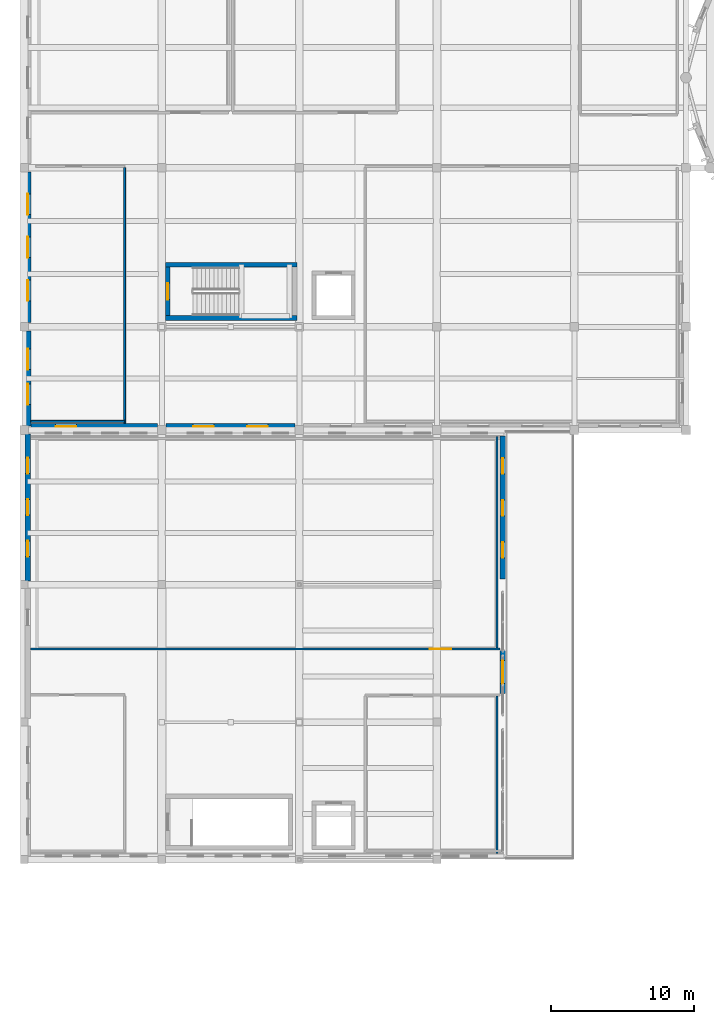
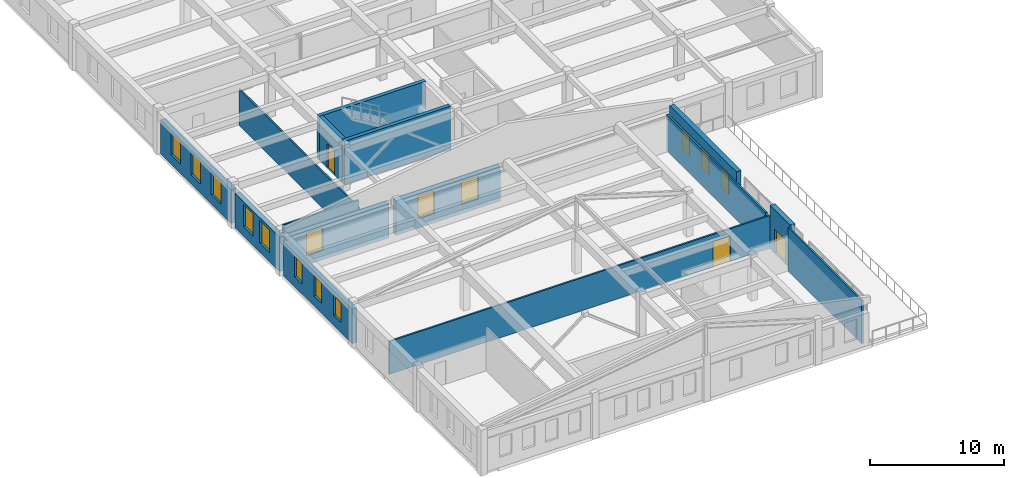
# One storey, part 11 of 31: 15 walls, 14 windows, 3 doors, 17 openings.
"""IFC4 building model written with IfcOpenShell, lengths in metres."""

from ifc_helpers import new_model, si_unit, direction, frame, frame_2d, origin, place, context, subcontext, project, spatial, rectangle, extrude, material, layer, layer_set, type_object, element, fill, save


model = new_model("IFC4")

# Units and contexts
model_context = context("Model", 3, precision=1e-05, world=origin(), true_north=direction((0.0, 1.0)))
body_context = subcontext(model_context, "Body", "Model", "MODEL_VIEW")
ifc_project = project(units=[si_unit("LENGTHUNIT", "METRE"), si_unit("AREAUNIT", "SQUARE_METRE"), si_unit("VOLUMEUNIT", "CUBIC_METRE"), si_unit("PLANEANGLEUNIT", "RADIAN"), si_unit("MASSUNIT", "GRAM", prefix="KILO")], contexts=[model_context])

# Site, building, storey
site_placement = place(None, origin())
site = spatial("IfcSite", under=ifc_project, at=site_placement, CompositionType="ELEMENT")
building_placement = place(site_placement, origin())
building = spatial("IfcBuilding", under=site, at=building_placement, Name="Tarnavel Promenade Courthouse", CompositionType="ELEMENT")
storey_placement = place(building_placement, frame((0.0, 0.0, 18.60009765625)))
storey = spatial("IfcBuildingStorey", under=building, at=storey_placement, Name="L05", CompositionType="ELEMENT", Elevation=18.60009765625)

# Wall, opening, door
ifc_material_1 = material(Name="Acoustic Insulated Gypsum Stud Partition", Category="gypsum")
ifc_layer_1 = layer(ifc_material_1, 0.14990234375)
ifc_layer_set_1 = layer_set([ifc_layer_1], Name="Acoustic Insulated Gypsum Stud Partition")
wall_type_1 = type_object("IfcWallType", Name="Acoustic Insulated Gypsum Stud Partition WL-LIB-150 (150 mm)", PredefinedType="PARTITIONING", material=ifc_layer_set_1)
wall_1_placement = place(storey_placement, frame((33.200927734375, 51.89990234375, 0.0), z_axis=(0.0, 0.0, 1.0), x_axis=(-1.0, 0.0, 0.0)))
wall_1 = element("IfcWall", 1, at=wall_1_placement, inside=storey, type_object=wall_type_1, Name="L05 Law Library Reading Room Terrace Pavilion Partition 0707", PredefinedType="PARTITIONING", context=body_context, shape_type="SweptSolid", body=[
    extrude(rectangle(XDim=32.761962890625, YDim=0.14990234375, at=frame_2d((16.380859375, 0.0))), origin(), (0.0, 0.0, 1.0), 2.989990234375),
])
opening_1_placement = place(wall_1_placement, frame((3.40625, 0.0, 0.0)))
opening_1 = element("IfcOpeningElement", 2, at=opening_1_placement, cuts=wall_1, Name="Opening ID-05", PredefinedType="OPENING", context=body_context, shape_type="SweptSolid", body=[
    extrude(rectangle(XDim=1.5, YDim=2.35009765625, at=frame_2d((0.75, 1.175048828125))), frame((0.0, 0.0849609375, 0.0), z_axis=(0.0, -1.0, 0.0), x_axis=(1.0, 0.0, 0.0)), (0.0, 0.0, 1.0), 0.169921875),
])
ifc_material_2 = material(Name="Glazed Oak Law Library Double Door")
door_type_1 = type_object("IfcDoorType", Name="Glazed Oak Law Library Double Door (DR-LIB-1500x2350)", OperationType="NOTDEFINED", PredefinedType="DOOR", material=ifc_material_2)
door_1_placement = place(opening_1_placement, origin())
door_1 = element("IfcDoor", 3, at=door_1_placement, inside=storey, type_object=door_type_1, Name="L05 Law Library Reading Room Terrace Pavilion Door 0202", OperationType="DOUBLE_DOOR_SINGLE_SWING", OverallHeight=2.35009765625, OverallWidth=1.5, PredefinedType="DOOR", context=body_context, shape_type="SweptSolid", body=[
    extrude(rectangle(XDim=1.5, YDim=2.35009765625, at=frame_2d((0.75, 1.175048828125))), frame((0.0, 0.02490234375, 0.0), z_axis=(0.0, -1.0, 0.0), x_axis=(1.0, 0.0, 0.0)), (0.0, 0.0, 1.0), 0.050048828125),
])
fill(opening_1, door_1)

# Walls
wall_2_placement = place(storey_placement, frame((33.0, 66.760986328125, 0.0), z_axis=(0.0, 0.0, 1.0), x_axis=(0.0, -1.0, 0.0)))
element("IfcWall", 4, at=wall_2_placement, inside=storey, type_object=wall_type_1, Name="L05 Law Library Reading Room Terrace Pavilion Partition 0708", PredefinedType="PARTITIONING", context=body_context, shape_type="SweptSolid", body=[
    extrude(rectangle(XDim=14.77587890625, YDim=0.14990234375, at=frame_2d((7.387939453125, 0.0))), origin(), (0.0, 0.0, 1.0), 3.260009765625),
])
wall_3_placement = place(storey_placement, frame((33.0, 48.614990234375, 0.0), z_axis=(0.0, 0.0, 1.0), x_axis=(0.0, -1.0, 0.0)))
element("IfcWall", 5, at=wall_3_placement, inside=storey, type_object=wall_type_1, Name="L05 Senior Judicial Research Library Partition 0715", PredefinedType="PARTITIONING", context=body_context, shape_type="SweptSolid", body=[
    extrude(rectangle(XDim=10.966064453125, YDim=0.14990234375, at=frame_2d((5.48291015625, 0.0))), origin(), (0.0, 0.0, 1.0), 3.94482421875),
])
ifc_material_3 = material(Name="Concrete C40/50", Category="concrete")
ifc_layer_2 = layer(ifc_material_3, 0.320068359375)
ifc_layer_set_2 = layer_set([ifc_layer_2], Name="Concrete C40/50")
wall_type_2 = type_object("IfcWallType", Name="Concrete C40/50 WL-SHR-320 (320 mm)", PredefinedType="SHEAR", material=ifc_layer_set_2)
for number, where, z_axis, x_axis, name in (
    (6, (9.860107421875, 78.739990234375, 0.0), (0.0, 0.0, 1.0), (1.0, 0.0, 0.0), "L05 ST-04 Shear Core North Wall"),
    (7, (19.0400390625, 75.02001953125, 0.0), (0.0, 0.0, 1.0), (-1.0, 0.0, 0.0), "L05 ST-04 Shear Core South Wall"),
):
    element("IfcWall", number, at=place(storey_placement, frame(where, z_axis=z_axis, x_axis=x_axis)), inside=storey, type_object=wall_type_2, Name=name, PredefinedType="SHEAR", context=body_context, shape_type="SweptSolid", body=[
        extrude(rectangle(XDim=9.179931640625, YDim=0.320068359375, at=frame_2d((4.58984375, 0.0))), origin(), (0.0, 0.0, 1.0), 3.9599609375),
    ])

# Wall, opening, door
wall_4_placement = place(storey_placement, frame((10.02001953125, 75.179931640625, 0.0), z_axis=(0.0, 0.0, 1.0), x_axis=(0.0, 1.0, 0.0)))
wall_4 = element("IfcWall", 8, at=wall_4_placement, inside=storey, type_object=wall_type_2, Name="L05 ST-04 Shear Core West Landing Wall", PredefinedType="SHEAR", context=body_context, shape_type="SweptSolid", body=[
    extrude(rectangle(XDim=3.400146484375, YDim=0.320068359375, at=frame_2d((1.7001953125, 0.0))), origin(), (0.0, 0.0, 1.0), 3.9599609375),
])
opening_2_placement = place(wall_4_placement, frame((1.125, 0.0, 0.0)))
opening_2 = element("IfcOpeningElement", 9, at=opening_2_placement, cuts=wall_4, Name="Opening FD-01", PredefinedType="OPENING", context=body_context, shape_type="SweptSolid", body=[
    extrude(rectangle(XDim=1.14990234375, YDim=2.199951171875, at=frame_2d((0.574951171875, 1.10009765625))), frame((0.0, 0.169921875, 0.0), z_axis=(0.0, -1.0, 0.0), x_axis=(1.0, 0.0, 0.0)), (0.0, 0.0, 1.0), 0.340087890625),
])
ifc_material_4 = material(Name="Steel Fire-Rated Stair Core Door", Category="steel")
door_type_2 = type_object("IfcDoorType", Name="Steel Fire-Rated Stair Core Door (DR-ST-1150x2200)", OperationType="NOTDEFINED", PredefinedType="DOOR", material=ifc_material_4)
door_2_placement = place(opening_2_placement, origin())
door_2 = element("IfcDoor", 10, at=door_2_placement, inside=storey, type_object=door_type_2, Name="L05 ST-04 Protected Exit Stair Door", OperationType="SINGLE_SWING_LEFT", OverallHeight=2.199951171875, OverallWidth=1.14990234375, PredefinedType="DOOR", context=body_context, shape_type="SweptSolid", body=[
    extrude(rectangle(XDim=1.14990234375, YDim=2.199951171875, at=frame_2d((0.574951171875, 1.10009765625))), frame((0.0, 0.02490234375, 0.0), z_axis=(0.0, -1.0, 0.0), x_axis=(1.0, 0.0, 0.0)), (0.0, 0.0, 1.0), 0.050048828125),
])
fill(opening_2, door_2)

# Wall, openings, windows
ifc_material_5 = material(Name="Cream Brick Insulated Cavity Facade Assembly", Category="masonry")
ifc_layer_3 = layer(ifc_material_5, 0.409912109375)
ifc_layer_set_3 = layer_set([ifc_layer_3], Name="Cream Brick Insulated Cavity Facade Assembly")
wall_type_3 = type_object("IfcWallType", Name="Cream Brick Insulated Cavity Facade Assembly WL-EXT-410 (410 mm)", PredefinedType="STANDARD", material=ifc_layer_set_3)
wall_5_placement = place(storey_placement, frame((0.239990234375, 56.6669921875, 0.0), z_axis=(0.0, 0.0, 1.0), x_axis=(0.0, 1.0, 0.0)))
wall_5 = element("IfcWall", 11, at=wall_5_placement, inside=storey, type_object=wall_type_3, Name="L05 Law Library West Brick Facade 0354", PredefinedType="STANDARD", context=body_context, shape_type="SweptSolid", body=[
    extrude(rectangle(XDim=10.240966796875, YDim=0.409912109375, at=frame_2d((5.12060546875, 0.0))), origin(), (0.0, 0.0, 1.0), 3.139892578125),
])
opening_3_placement = place(wall_5_placement, frame((1.68310546875, 0.0, 0.89990234375)))
opening_3 = element("IfcOpeningElement", 12, at=opening_3_placement, cuts=wall_5, Name="Opening W-07", PredefinedType="OPENING", context=body_context, shape_type="SweptSolid", body=[
    extrude(rectangle(XDim=1.10009765625, YDim=1.85009765625, at=frame_2d((0.550048828125, 0.925048828125))), frame((0.0, 0.21484375, 0.0), z_axis=(0.0, -1.0, 0.0), x_axis=(1.0, 0.0, 0.0)), (0.0, 0.0, 1.0), 0.429931640625),
])
opening_4_placement = place(wall_5_placement, frame((4.5830078125, 0.0, 0.89990234375)))
opening_4 = element("IfcOpeningElement", 13, at=opening_4_placement, cuts=wall_5, Name="Opening W-07", PredefinedType="OPENING", context=body_context, shape_type="SweptSolid", body=[
    extrude(rectangle(XDim=1.10009765625, YDim=1.85009765625, at=frame_2d((0.550048828125, 0.925048828125))), frame((0.0, 0.21484375, 0.0), z_axis=(0.0, -1.0, 0.0), x_axis=(1.0, 0.0, 0.0)), (0.0, 0.0, 1.0), 0.429931640625),
])
opening_5_placement = place(wall_5_placement, frame((7.48291015625, 0.0, 0.89990234375)))
opening_5 = element("IfcOpeningElement", 14, at=opening_5_placement, cuts=wall_5, Name="Opening W-07", PredefinedType="OPENING", context=body_context, shape_type="SweptSolid", body=[
    extrude(rectangle(XDim=1.10009765625, YDim=1.85009765625, at=frame_2d((0.550048828125, 0.925048828125))), frame((0.0, 0.21484375, 0.0), z_axis=(0.0, -1.0, 0.0), x_axis=(1.0, 0.0, 0.0)), (0.0, 0.0, 1.0), 0.429931640625),
])
ifc_material_6 = material(Name="Triple Low-E Glazed Bronze-Clad Window Assembly")
window_type_1 = type_object("IfcWindowType", Name="Triple-Glazed Bronze-Clad Timber-Aluminium WIN-LIB-1100x1850", PartitioningType="SINGLE_PANEL", PredefinedType="WINDOW", material=ifc_material_6)
window_1_placement = place(opening_3_placement, origin())
window_1 = element("IfcWindow", 15, at=window_1_placement, inside=storey, type_object=window_type_1, Name="L05 Exterior Window 0425", OverallHeight=1.85009765625, OverallWidth=1.10009765625, PartitioningType="SINGLE_PANEL", PredefinedType="WINDOW", context=body_context, shape_type="SweptSolid", body=[
    extrude(rectangle(XDim=1.10009765625, YDim=1.85009765625, at=frame_2d((0.550048828125, 0.925048828125))), frame((0.0, 0.030029296875, 0.0), z_axis=(0.0, -1.0, 0.0), x_axis=(1.0, 0.0, 0.0)), (0.0, 0.0, 1.0), 0.06005859375),
])
fill(opening_3, window_1)
window_2_placement = place(opening_4_placement, origin())
window_2 = element("IfcWindow", 16, at=window_2_placement, inside=storey, type_object=window_type_1, Name="L05 Exterior Window 0426", OverallHeight=1.85009765625, OverallWidth=1.10009765625, PartitioningType="SINGLE_PANEL", PredefinedType="WINDOW", context=body_context, shape_type="SweptSolid", body=[
    extrude(rectangle(XDim=1.10009765625, YDim=1.85009765625, at=frame_2d((0.550048828125, 0.925048828125))), frame((0.0, 0.030029296875, 0.0), z_axis=(0.0, -1.0, 0.0), x_axis=(1.0, 0.0, 0.0)), (0.0, 0.0, 1.0), 0.06005859375),
])
fill(opening_4, window_2)
window_3_placement = place(opening_5_placement, origin())
window_3 = element("IfcWindow", 17, at=window_3_placement, inside=storey, type_object=window_type_1, Name="L05 Exterior Window 0427", OverallHeight=1.85009765625, OverallWidth=1.10009765625, PartitioningType="SINGLE_PANEL", PredefinedType="WINDOW", context=body_context, shape_type="SweptSolid", body=[
    extrude(rectangle(XDim=1.10009765625, YDim=1.85009765625, at=frame_2d((0.550048828125, 0.925048828125))), frame((0.0, 0.030029296875, 0.0), z_axis=(0.0, -1.0, 0.0), x_axis=(1.0, 0.0, 0.0)), (0.0, 0.0, 1.0), 0.06005859375),
])
fill(opening_5, window_3)

wall_6_placement = place(storey_placement, frame((33.39990234375, 56.800048828125, 0.0), z_axis=(0.0, 0.0, 1.0), x_axis=(0.0, 1.0, 0.0)))
wall_6 = element("IfcWall", 18, at=wall_6_placement, inside=storey, type_object=wall_type_3, Name="L05 L05 Reading Terrace North-East Wall 0355", PredefinedType="STANDARD", context=body_context, shape_type="SweptSolid", body=[
    extrude(rectangle(XDim=9.962890625, YDim=0.409912109375, at=frame_2d((4.9814453125, 0.0))), origin(), (0.0, 0.0, 1.0), 3.9599609375),
])
opening_6_placement = place(wall_6_placement, frame((1.466796875, 0.0, 0.89990234375)))
opening_6 = element("IfcOpeningElement", 19, at=opening_6_placement, cuts=wall_6, Name="Opening W-07", PredefinedType="OPENING", context=body_context, shape_type="SweptSolid", body=[
    extrude(rectangle(XDim=1.10009765625, YDim=1.85009765625, at=frame_2d((0.550048828125, 0.925048828125))), frame((0.0, 0.21484375, 0.0), z_axis=(0.0, -1.0, 0.0), x_axis=(1.0, 0.0, 0.0)), (0.0, 0.0, 1.0), 0.429931640625),
])
opening_7_placement = place(wall_6_placement, frame((4.39990234375, 0.0, 0.89990234375)))
opening_7 = element("IfcOpeningElement", 20, at=opening_7_placement, cuts=wall_6, Name="Opening W-07", PredefinedType="OPENING", context=body_context, shape_type="SweptSolid", body=[
    extrude(rectangle(XDim=1.10009765625, YDim=1.85009765625, at=frame_2d((0.550048828125, 0.925048828125))), frame((0.0, 0.21484375, 0.0), z_axis=(0.0, -1.0, 0.0), x_axis=(1.0, 0.0, 0.0)), (0.0, 0.0, 1.0), 0.429931640625),
])
opening_8_placement = place(wall_6_placement, frame((7.333251953125, 0.0, 0.89990234375)))
opening_8 = element("IfcOpeningElement", 21, at=opening_8_placement, cuts=wall_6, Name="Opening W-07", PredefinedType="OPENING", context=body_context, shape_type="SweptSolid", body=[
    extrude(rectangle(XDim=1.10009765625, YDim=1.85009765625, at=frame_2d((0.550048828125, 0.925048828125))), frame((0.0, 0.21484375, 0.0), z_axis=(0.0, -1.0, 0.0), x_axis=(1.0, 0.0, 0.0)), (0.0, 0.0, 1.0), 0.429931640625),
])
window_4_placement = place(opening_6_placement, origin())
window_4 = element("IfcWindow", 22, at=window_4_placement, inside=storey, type_object=window_type_1, Name="L05 Exterior Window 0428", OverallHeight=1.85009765625, OverallWidth=1.10009765625, PartitioningType="SINGLE_PANEL", PredefinedType="WINDOW", context=body_context, shape_type="SweptSolid", body=[
    extrude(rectangle(XDim=1.10009765625, YDim=1.85009765625, at=frame_2d((0.550048828125, 0.925048828125))), frame((0.0, 0.030029296875, 0.0), z_axis=(0.0, -1.0, 0.0), x_axis=(1.0, 0.0, 0.0)), (0.0, 0.0, 1.0), 0.06005859375),
])
fill(opening_6, window_4)
window_5_placement = place(opening_7_placement, origin())
window_5 = element("IfcWindow", 23, at=window_5_placement, inside=storey, type_object=window_type_1, Name="L05 Exterior Window 0429", OverallHeight=1.85009765625, OverallWidth=1.10009765625, PartitioningType="SINGLE_PANEL", PredefinedType="WINDOW", context=body_context, shape_type="SweptSolid", body=[
    extrude(rectangle(XDim=1.10009765625, YDim=1.85009765625, at=frame_2d((0.550048828125, 0.925048828125))), frame((0.0, 0.030029296875, 0.0), z_axis=(0.0, -1.0, 0.0), x_axis=(1.0, 0.0, 0.0)), (0.0, 0.0, 1.0), 0.06005859375),
])
fill(opening_7, window_5)
window_6_placement = place(opening_8_placement, origin())
window_6 = element("IfcWindow", 24, at=window_6_placement, inside=storey, type_object=window_type_1, Name="L05 Exterior Window 0430", OverallHeight=1.85009765625, OverallWidth=1.10009765625, PartitioningType="SINGLE_PANEL", PredefinedType="WINDOW", context=body_context, shape_type="SweptSolid", body=[
    extrude(rectangle(XDim=1.10009765625, YDim=1.85009765625, at=frame_2d((0.550048828125, 0.925048828125))), frame((0.0, 0.030029296875, 0.0), z_axis=(0.0, -1.0, 0.0), x_axis=(1.0, 0.0, 0.0)), (0.0, 0.0, 1.0), 0.06005859375),
])
fill(opening_8, window_6)

# Wall, opening, door
wall_7_placement = place(storey_placement, frame((33.39990234375, 48.800048828125, 0.0), z_axis=(0.0, 0.0, 1.0), x_axis=(0.0, 1.0, 0.0)))
wall_7 = element("IfcWall", 25, at=wall_7_placement, inside=storey, type_object=wall_type_3, Name="L05 L05 Reading Terrace Door Wall 0356", PredefinedType="STANDARD", context=body_context, shape_type="SweptSolid", body=[
    extrude(rectangle(XDim=3.0, YDim=0.409912109375, at=frame_2d((1.5, 0.0))), origin(), (0.0, 0.0, 1.0), 3.9599609375),
])
opening_9_placement = place(wall_7_placement, frame((0.699951171875, 0.0, 0.0)))
opening_9 = element("IfcOpeningElement", 26, at=opening_9_placement, cuts=wall_7, Name="Opening ED-06", PredefinedType="OPENING", context=body_context, shape_type="SweptSolid", body=[
    extrude(rectangle(XDim=1.60009765625, YDim=2.199951171875, at=frame_2d((0.800048828125, 1.10009765625))), frame((0.0, 0.21484375, 0.0), z_axis=(0.0, -1.0, 0.0), x_axis=(1.0, 0.0, 0.0)), (0.0, 0.0, 1.0), 0.429931640625),
])
ifc_material_7 = material(Name="Triple-Glazed Bronze Reading Terrace Door")
door_type_3 = type_object("IfcDoorType", Name="Triple-Glazed Bronze Reading Terrace Door (ED-TER-1600x2200)", OperationType="NOTDEFINED", PredefinedType="DOOR", material=ifc_material_7)
door_3_placement = place(opening_9_placement, origin())
door_3 = element("IfcDoor", 27, at=door_3_placement, inside=storey, type_object=door_type_3, Name="L05 Law Library Reading Terrace Door", OperationType="DOUBLE_DOOR_SINGLE_SWING", OverallHeight=2.199951171875, OverallWidth=1.60009765625, PredefinedType="DOOR", context=body_context, shape_type="SweptSolid", body=[
    extrude(rectangle(XDim=1.60009765625, YDim=2.199951171875, at=frame_2d((0.800048828125, 1.10009765625))), frame((0.0, 0.02490234375, 0.0), z_axis=(0.0, -1.0, 0.0), x_axis=(1.0, 0.0, 0.0)), (0.0, 0.0, 1.0), 0.050048828125),
])
fill(opening_9, door_3)

# Wall, openings, windows
ifc_material_8 = material(Name="Limestone Ashlar Faced Insulated Brick Masonry", Category="masonry")
ifc_layer_4 = layer(ifc_material_8, 0.43994140625)
ifc_layer_set_4 = layer_set([ifc_layer_4], Name="Limestone Ashlar Faced Insulated Brick Masonry")
wall_type_4 = type_object("IfcWallType", Name="Limestone Ashlar Faced Insulated Brick Masonry WL-EXT-440 (440 mm)", PredefinedType="STANDARD", material=ifc_layer_set_4)
wall_8_placement = place(storey_placement, frame((0.239990234375, 67.491943359375, 0.0), z_axis=(0.0, 0.0, 1.0), x_axis=(0.0, 1.0, 0.0)))
wall_8 = element("IfcWall", 28, at=wall_8_placement, inside=storey, type_object=wall_type_4, Name="L05 Trial Wing West Ashlar Facade 0318", PredefinedType="STANDARD", context=body_context, shape_type="SweptSolid", body=[
    extrude(rectangle(XDim=6.615966796875, YDim=0.43994140625, at=frame_2d((3.30810546875, 0.0))), origin(), (0.0, 0.0, 1.0), 3.139892578125),
])
opening_10_placement = place(wall_8_placement, frame((1.47802734375, 0.0, 0.85009765625)))
opening_10 = element("IfcOpeningElement", 29, at=opening_10_placement, cuts=wall_8, Name="Opening W-03", PredefinedType="OPENING", context=body_context, shape_type="SweptSolid", body=[
    extrude(rectangle(XDim=1.449951171875, YDim=2.050048828125, at=frame_2d((0.72509765625, 1.02490234375))), frame((0.0, 0.22998046875, 0.0), z_axis=(0.0, -1.0, 0.0), x_axis=(1.0, 0.0, 0.0)), (0.0, 0.0, 1.0), 0.4599609375),
])
opening_11_placement = place(wall_8_placement, frame((3.927978515625, 0.0, 0.85009765625)))
opening_11 = element("IfcOpeningElement", 30, at=opening_11_placement, cuts=wall_8, Name="Opening W-03", PredefinedType="OPENING", context=body_context, shape_type="SweptSolid", body=[
    extrude(rectangle(XDim=1.449951171875, YDim=2.050048828125, at=frame_2d((0.72509765625, 1.02490234375))), frame((0.0, 0.22998046875, 0.0), z_axis=(0.0, -1.0, 0.0), x_axis=(1.0, 0.0, 0.0)), (0.0, 0.0, 1.0), 0.4599609375),
])
window_type_2 = type_object("IfcWindowType", Name="Triple-Glazed Bronze-Clad Timber-Aluminium WIN-APP-1450x2050", PartitioningType="SINGLE_PANEL", PredefinedType="WINDOW", material=ifc_material_6)
window_7_placement = place(opening_10_placement, origin())
window_7 = element("IfcWindow", 31, at=window_7_placement, inside=storey, type_object=window_type_2, Name="L05 Exterior Window 0343", OverallHeight=2.050048828125, OverallWidth=1.449951171875, PartitioningType="SINGLE_PANEL", PredefinedType="WINDOW", context=body_context, shape_type="SweptSolid", body=[
    extrude(rectangle(XDim=1.449951171875, YDim=2.050048828125, at=frame_2d((0.72509765625, 1.02490234375))), frame((0.0, 0.030029296875, 0.0), z_axis=(0.0, -1.0, 0.0), x_axis=(1.0, 0.0, 0.0)), (0.0, 0.0, 1.0), 0.06005859375),
])
fill(opening_10, window_7)
window_8_placement = place(opening_11_placement, origin())
window_8 = element("IfcWindow", 32, at=window_8_placement, inside=storey, type_object=window_type_2, Name="L05 Exterior Window 0344", OverallHeight=2.050048828125, OverallWidth=1.449951171875, PartitioningType="SINGLE_PANEL", PredefinedType="WINDOW", context=body_context, shape_type="SweptSolid", body=[
    extrude(rectangle(XDim=1.449951171875, YDim=2.050048828125, at=frame_2d((0.72509765625, 1.02490234375))), frame((0.0, 0.030029296875, 0.0), z_axis=(0.0, -1.0, 0.0), x_axis=(1.0, 0.0, 0.0)), (0.0, 0.0, 1.0), 0.06005859375),
])
fill(opening_11, window_8)

wall_9_placement = place(storey_placement, frame((0.239990234375, 74.69189453125, 0.0), z_axis=(0.0, 0.0, 1.0), x_axis=(0.0, 1.0, 0.0)))
wall_9 = element("IfcWall", 33, at=wall_9_placement, inside=storey, type_object=wall_type_4, Name="L05 Trial Wing West Ashlar Facade 0319", PredefinedType="STANDARD", context=body_context, shape_type="SweptSolid", body=[
    extrude(rectangle(XDim=10.51611328125, YDim=0.43994140625, at=frame_2d((5.258056640625, 0.0))), origin(), (0.0, 0.0, 1.0), 3.08984375),
])
opening_12_placement = place(wall_9_placement, frame((1.519775390625, 0.0, 0.85009765625)))
opening_12 = element("IfcOpeningElement", 34, at=opening_12_placement, cuts=wall_9, Name="Opening W-03", PredefinedType="OPENING", context=body_context, shape_type="SweptSolid", body=[
    extrude(rectangle(XDim=1.449951171875, YDim=2.050048828125, at=frame_2d((0.72509765625, 1.02490234375))), frame((0.0, 0.22998046875, 0.0), z_axis=(0.0, -1.0, 0.0), x_axis=(1.0, 0.0, 0.0)), (0.0, 0.0, 1.0), 0.4599609375),
])
opening_13_placement = place(wall_9_placement, frame((4.532958984375, 0.0, 0.85009765625)))
opening_13 = element("IfcOpeningElement", 35, at=opening_13_placement, cuts=wall_9, Name="Opening W-03", PredefinedType="OPENING", context=body_context, shape_type="SweptSolid", body=[
    extrude(rectangle(XDim=1.449951171875, YDim=2.050048828125, at=frame_2d((0.72509765625, 1.02490234375))), frame((0.0, 0.22998046875, 0.0), z_axis=(0.0, -1.0, 0.0), x_axis=(1.0, 0.0, 0.0)), (0.0, 0.0, 1.0), 0.4599609375),
])
opening_14_placement = place(wall_9_placement, frame((7.54638671875, 0.0, 0.85009765625)))
opening_14 = element("IfcOpeningElement", 36, at=opening_14_placement, cuts=wall_9, Name="Opening W-03", PredefinedType="OPENING", context=body_context, shape_type="SweptSolid", body=[
    extrude(rectangle(XDim=1.449951171875, YDim=2.050048828125, at=frame_2d((0.72509765625, 1.02490234375))), frame((0.0, 0.22998046875, 0.0), z_axis=(0.0, -1.0, 0.0), x_axis=(1.0, 0.0, 0.0)), (0.0, 0.0, 1.0), 0.4599609375),
])
window_9_placement = place(opening_12_placement, origin())
window_9 = element("IfcWindow", 37, at=window_9_placement, inside=storey, type_object=window_type_2, Name="L05 Exterior Window 0345", OverallHeight=2.050048828125, OverallWidth=1.449951171875, PartitioningType="SINGLE_PANEL", PredefinedType="WINDOW", context=body_context, shape_type="SweptSolid", body=[
    extrude(rectangle(XDim=1.449951171875, YDim=2.050048828125, at=frame_2d((0.72509765625, 1.02490234375))), frame((0.0, 0.030029296875, 0.0), z_axis=(0.0, -1.0, 0.0), x_axis=(1.0, 0.0, 0.0)), (0.0, 0.0, 1.0), 0.06005859375),
])
fill(opening_12, window_9)
window_10_placement = place(opening_13_placement, origin())
window_10 = element("IfcWindow", 38, at=window_10_placement, inside=storey, type_object=window_type_2, Name="L05 Exterior Window 0346", OverallHeight=2.050048828125, OverallWidth=1.449951171875, PartitioningType="SINGLE_PANEL", PredefinedType="WINDOW", context=body_context, shape_type="SweptSolid", body=[
    extrude(rectangle(XDim=1.449951171875, YDim=2.050048828125, at=frame_2d((0.72509765625, 1.02490234375))), frame((0.0, 0.030029296875, 0.0), z_axis=(0.0, -1.0, 0.0), x_axis=(1.0, 0.0, 0.0)), (0.0, 0.0, 1.0), 0.06005859375),
])
fill(opening_13, window_10)
window_11_placement = place(opening_14_placement, origin())
window_11 = element("IfcWindow", 39, at=window_11_placement, inside=storey, type_object=window_type_2, Name="L05 Exterior Window 0347", OverallHeight=2.050048828125, OverallWidth=1.449951171875, PartitioningType="SINGLE_PANEL", PredefinedType="WINDOW", context=body_context, shape_type="SweptSolid", body=[
    extrude(rectangle(XDim=1.449951171875, YDim=2.050048828125, at=frame_2d((0.72509765625, 1.02490234375))), frame((0.0, 0.030029296875, 0.0), z_axis=(0.0, -1.0, 0.0), x_axis=(1.0, 0.0, 0.0)), (0.0, 0.0, 1.0), 0.06005859375),
])
fill(opening_14, window_11)

# Wall, opening, window
wall_10_placement = place(storey_placement, frame((9.30810546875, 67.43994140625, 0.0), z_axis=(0.0, 0.0, 1.0), x_axis=(-1.0, 0.0, 0.0)))
wall_10 = element("IfcWall", 40, at=wall_10_placement, inside=storey, type_object=wall_type_4, Name="L05 Trial Wing Upper South Facade 0322", PredefinedType="STANDARD", context=body_context, shape_type="SweptSolid", body=[
    extrude(rectangle(XDim=8.856201171875, YDim=0.43994140625, at=frame_2d((4.42822265625, 0.0))), origin(), (0.0, 0.0, 1.0), 3.139892578125),
])
opening_15_placement = place(wall_10_placement, frame((5.66796875, 0.0, 0.85009765625)))
opening_15 = element("IfcOpeningElement", 41, at=opening_15_placement, cuts=wall_10, Name="Opening W-03", PredefinedType="OPENING", context=body_context, shape_type="SweptSolid", body=[
    extrude(rectangle(XDim=1.449951171875, YDim=2.050048828125, at=frame_2d((0.72509765625, 1.02490234375))), frame((0.0, 0.22998046875, 0.0), z_axis=(0.0, -1.0, 0.0), x_axis=(1.0, 0.0, 0.0)), (0.0, 0.0, 1.0), 0.4599609375),
])
window_12_placement = place(opening_15_placement, origin())
window_12 = element("IfcWindow", 42, at=window_12_placement, inside=storey, type_object=window_type_2, Name="L05 Exterior Window 0354", OverallHeight=2.050048828125, OverallWidth=1.449951171875, PartitioningType="SINGLE_PANEL", PredefinedType="WINDOW", context=body_context, shape_type="SweptSolid", body=[
    extrude(rectangle(XDim=1.449951171875, YDim=2.050048828125, at=frame_2d((0.72509765625, 1.02490234375))), frame((0.0, 0.030029296875, 0.0), z_axis=(0.0, -1.0, 0.0), x_axis=(1.0, 0.0, 0.0)), (0.0, 0.0, 1.0), 0.06005859375),
])
fill(opening_15, window_12)

# Wall, openings, windows
wall_11_placement = place(storey_placement, frame((18.907958984375, 67.43994140625, 0.0), z_axis=(0.0, 0.0, 1.0), x_axis=(-1.0, 0.0, 0.0)))
wall_11 = element("IfcWall", 43, at=wall_11_placement, inside=storey, type_object=wall_type_4, Name="L05 Trial Wing Upper South Facade 0323", PredefinedType="STANDARD", context=body_context, shape_type="SweptSolid", body=[
    extrude(rectangle(XDim=9.015869140625, YDim=0.43994140625, at=frame_2d((4.5078125, 0.0))), origin(), (0.0, 0.0, 1.0), 3.139892578125),
])
opening_16_placement = place(wall_11_placement, frame((1.89794921875, 0.0, 0.85009765625)))
opening_16 = element("IfcOpeningElement", 44, at=opening_16_placement, cuts=wall_11, Name="Opening W-03", PredefinedType="OPENING", context=body_context, shape_type="SweptSolid", body=[
    extrude(rectangle(XDim=1.449951171875, YDim=2.050048828125, at=frame_2d((0.72509765625, 1.02490234375))), frame((0.0, 0.22998046875, 0.0), z_axis=(0.0, -1.0, 0.0), x_axis=(1.0, 0.0, 0.0)), (0.0, 0.0, 1.0), 0.4599609375),
])
opening_17_placement = place(wall_11_placement, frame((5.66796875, 0.0, 0.85009765625)))
opening_17 = element("IfcOpeningElement", 45, at=opening_17_placement, cuts=wall_11, Name="Opening W-03", PredefinedType="OPENING", context=body_context, shape_type="SweptSolid", body=[
    extrude(rectangle(XDim=1.449951171875, YDim=2.050048828125, at=frame_2d((0.72509765625, 1.02490234375))), frame((0.0, 0.22998046875, 0.0), z_axis=(0.0, -1.0, 0.0), x_axis=(1.0, 0.0, 0.0)), (0.0, 0.0, 1.0), 0.4599609375),
])
window_13_placement = place(opening_16_placement, origin())
window_13 = element("IfcWindow", 46, at=window_13_placement, inside=storey, type_object=window_type_2, Name="L05 Exterior Window 0355", OverallHeight=2.050048828125, OverallWidth=1.449951171875, PartitioningType="SINGLE_PANEL", PredefinedType="WINDOW", context=body_context, shape_type="SweptSolid", body=[
    extrude(rectangle(XDim=1.449951171875, YDim=2.050048828125, at=frame_2d((0.72509765625, 1.02490234375))), frame((0.0, 0.030029296875, 0.0), z_axis=(0.0, -1.0, 0.0), x_axis=(1.0, 0.0, 0.0)), (0.0, 0.0, 1.0), 0.06005859375),
])
fill(opening_16, window_13)
window_14_placement = place(opening_17_placement, origin())
window_14 = element("IfcWindow", 47, at=window_14_placement, inside=storey, type_object=window_type_2, Name="L05 Exterior Window 0356", OverallHeight=2.050048828125, OverallWidth=1.449951171875, PartitioningType="SINGLE_PANEL", PredefinedType="WINDOW", context=body_context, shape_type="SweptSolid", body=[
    extrude(rectangle(XDim=1.449951171875, YDim=2.050048828125, at=frame_2d((0.72509765625, 1.02490234375))), frame((0.0, 0.030029296875, 0.0), z_axis=(0.0, -1.0, 0.0), x_axis=(1.0, 0.0, 0.0)), (0.0, 0.0, 1.0), 0.06005859375),
])
fill(opening_17, window_14)

# Walls
ifc_material_9 = material(Name="Metal-Stud Acoustic Gypsum Partition", Category="gypsum")
ifc_layer_5 = layer(ifc_material_9, 0.135009765625)
ifc_layer_set_5 = layer_set([ifc_layer_5], Name="Metal-Stud Acoustic Gypsum Partition")
wall_type_5 = type_object("IfcWallType", Name="Metal-Stud Acoustic Gypsum Partition WL-OFF-135 (135 mm)", PredefinedType="PARTITIONING", material=ifc_layer_set_5)
wall_12_placement = place(storey_placement, frame((7.0, 67.800048828125, 0.0), z_axis=(0.0, 0.0, 1.0), x_axis=(-1.0, 0.0, 0.0)))
element("IfcWall", 48, at=wall_12_placement, inside=storey, type_object=wall_type_5, Name="L05 Appellate Case Review Seminar Room Partition 0700", PredefinedType="PARTITIONING", context=body_context, shape_type="SweptSolid", body=[
    extrude(rectangle(XDim=6.5458984375, YDim=0.135009765625, at=frame_2d((3.27294921875, 0.0))), origin(), (0.0, 0.0, 1.0), 3.94482421875),
])
wall_13_placement = place(storey_placement, frame((7.0, 85.5224609375, 0.0), z_axis=(0.0, 0.0, 1.0), x_axis=(0.0, -1.0, 0.0)))
element("IfcWall", 49, at=wall_13_placement, inside=storey, type_object=wall_type_5, Name="L05 Appellate Case Review Seminar Room Partition 0701", PredefinedType="PARTITIONING", context=body_context, shape_type="SweptSolid", body=[
    extrude(rectangle(XDim=17.868408203125, YDim=0.135009765625, at=frame_2d((8.93408203125, 0.0))), origin(), (0.0, 0.0, 1.0), 3.289794921875),
])

save(model, "model.ifc")
